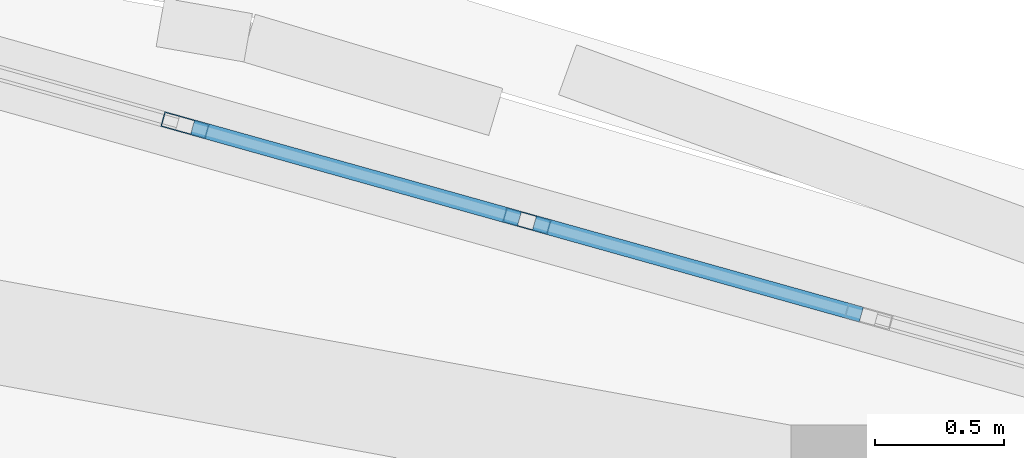
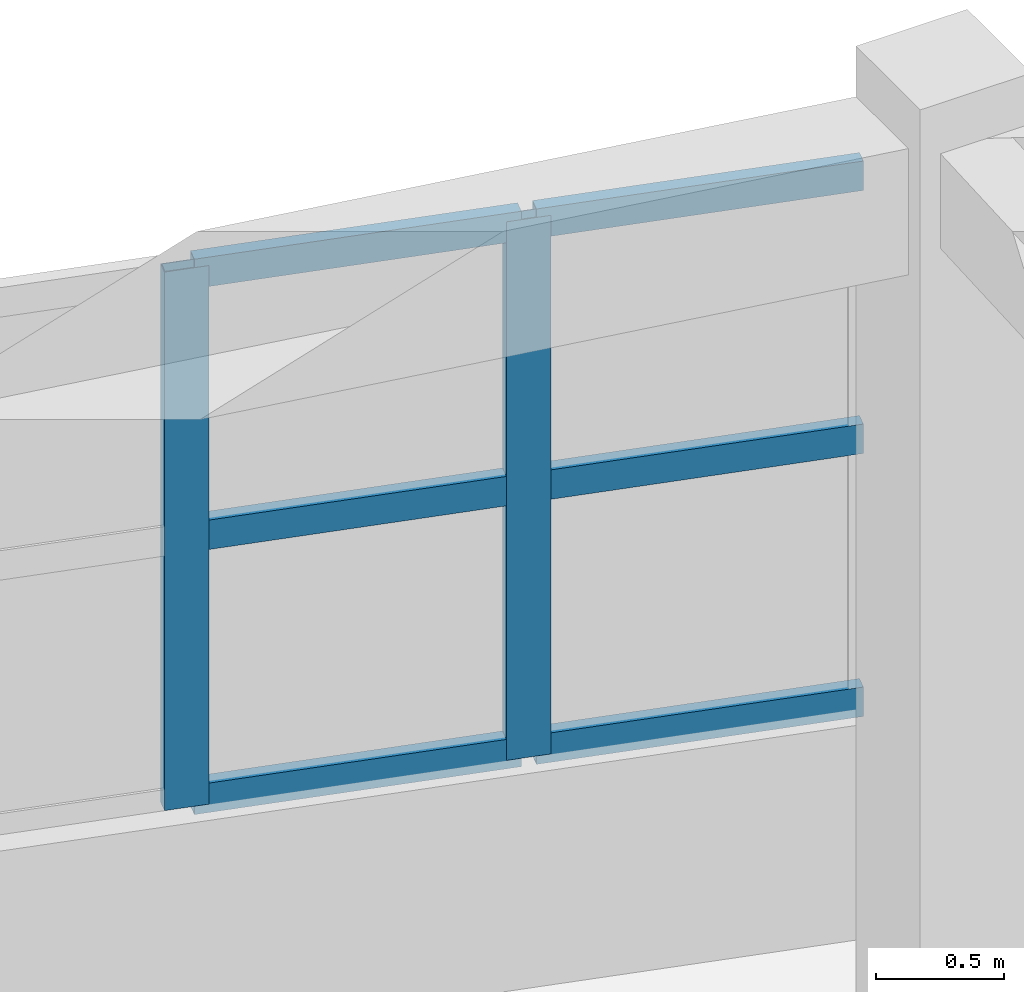
# One storey, part 28 of 38: 8 members, 1 element without a shape of its own.
"""IFC4 building model written with IfcOpenShell, lengths in metres."""

from ifc_helpers import new_model, si_unit, direction, frame, origin, origin_2d, place, context, subcontext, project, spatial, hollow_rectangle, extrude, material, layer, layer_set, material_profile, profile_set, type_object, element, aggregate, save


model = new_model("IFC4")

# Units and contexts
model_context = context("Model", 3, precision=1e-05, world=origin(), true_north=direction((0.0, 1.0)))
body_context = subcontext(model_context, "Body", "Model", "MODEL_VIEW")
ifc_project = project(units=[si_unit("LENGTHUNIT", "METRE"), si_unit("AREAUNIT", "SQUARE_METRE"), si_unit("VOLUMEUNIT", "CUBIC_METRE"), si_unit("PLANEANGLEUNIT", "RADIAN"), si_unit("MASSUNIT", "GRAM", prefix="KILO")], contexts=[model_context])

# Site, building, storey
site_placement = place(None, origin())
site = spatial("IfcSite", under=ifc_project, at=site_placement, CompositionType="ELEMENT")
building_placement = place(site_placement, origin())
building = spatial("IfcBuilding", under=site, at=building_placement, Name="Pelvatis Terrace Science Centre", CompositionType="ELEMENT")
storey_placement = place(building_placement, frame((0.0, 0.0, 24.300048828125)))
storey = spatial("IfcBuildingStorey", under=building, at=storey_placement, Name="L05", CompositionType="ELEMENT", Elevation=24.300048828125)

# Curtain wall, members
ifc_material_1 = material(Name="Bronze-anodised aluminium and laminated glass", Category="aluminium")
ifc_layer = layer(ifc_material_1, 0.179931640625)
ifc_layer_set = layer_set([ifc_layer], Name="Bronze-anodised aluminium and laminated glass")
curtain_wall_type = type_object("IfcCurtainWallType", Name="CW-RIBBON-A", PredefinedType="NOTDEFINED", material=ifc_layer_set)
curtain_wall_placement = place(storey_placement, origin())
curtain_wall = element("IfcCurtainWall", 1, at=curtain_wall_placement, inside=storey, type_object=curtain_wall_type, Name="Ribbon curtain wall CW-242 (L05)", PredefinedType="NOTDEFINED")
ifc_material_2 = material(Name="Bronze-anodised aluminium 6063-T6", Category="aluminium")
ifc_material_profile_1 = material_profile(ifc_material_2, hollow_rectangle(XDim=0.06005859375, YDim=0.179931640625, WallThickness=0.00390625, at=origin_2d()), Name="ALU-MUL 60x180")
ifc_profile_set_1 = profile_set([ifc_material_profile_1], Name="Bronze-anodised aluminium 6063-T6")
member_type_1 = type_object("IfcMemberType", Name="CWM-60x180", PredefinedType="MULLION", material=ifc_profile_set_1)
member_1_placement = place(storey_placement, frame((117.42138671875, 104.005859375, 1.02001953125), z_axis=(0.0, 0.0, 1.0), x_axis=(-0.269694685663, -0.962945884526, 0.0)))
member_1 = element("IfcMember", 2, at=member_1_placement, type_object=member_type_1, Name="CW-242 mullion 3", PredefinedType="MULLION", context=body_context, shape_type="SweptSolid", body=[
    extrude(hollow_rectangle(XDim=0.06005859375, YDim=0.179931640625, WallThickness=0.00390625, at=origin_2d()), origin(), (0.0, 0.0, 1.0), 2.559814453125),
])
member_2_placement = place(storey_placement, frame((116.09765625, 104.37646484375, 1.02001953125), z_axis=(0.0, 0.0, 1.0), x_axis=(-0.269694685663, -0.962945884526, 0.0)))
member_2 = element("IfcMember", 3, at=member_2_placement, type_object=member_type_1, Name="CW-242 mullion 4", PredefinedType="MULLION", context=body_context, shape_type="SweptSolid", body=[
    extrude(hollow_rectangle(XDim=0.06005859375, YDim=0.179931640625, WallThickness=0.00390625, at=origin_2d()), origin(), (0.0, 0.0, 1.0), 2.559814453125),
])
ifc_material_3 = material(Name="Bronze-anodised aluminium 6063-T6", Category="aluminium")
ifc_material_profile_2 = material_profile(ifc_material_3, hollow_rectangle(XDim=0.06005859375, YDim=0.139892578125, WallThickness=0.00390625, at=origin_2d()), Name="ALU-TRN 60x140")
ifc_profile_set_2 = profile_set([ifc_material_profile_2], Name="Bronze-anodised aluminium 6063-T6")
member_type_2 = type_object("IfcMemberType", Name="CWT-60x140", PredefinedType="USERDEFINED", material=ifc_profile_set_2)
member_3_placement = place(storey_placement, frame((118.71630859375, 103.643310546875, 1.050048828125), z_axis=(-0.962954374923, 0.269664368831, 0.0), x_axis=(-0.269664368831, -0.962954374923, 0.0)))
member_3 = element("IfcMember", 4, at=member_3_placement, type_object=member_type_2, Name="CW-242 transom 2.1", ObjectType="TRANSOM", PredefinedType="USERDEFINED", context=body_context, shape_type="SweptSolid", body=[
    extrude(hollow_rectangle(XDim=0.06005859375, YDim=0.139892578125, WallThickness=0.00390625, at=origin_2d()), origin(), (0.0, 0.0, 1.0), 1.314453125),
])
member_4_placement = place(storey_placement, frame((118.71630859375, 103.643310546875, 2.300048828125), z_axis=(-0.962954374923, 0.269664368831, 0.0), x_axis=(-0.269664368831, -0.962954374923, 0.0)))
member_4 = element("IfcMember", 5, at=member_4_placement, type_object=member_type_2, Name="CW-242 transom 2.2", ObjectType="TRANSOM", PredefinedType="USERDEFINED", context=body_context, shape_type="SweptSolid", body=[
    extrude(hollow_rectangle(XDim=0.06005859375, YDim=0.139892578125, WallThickness=0.00390625, at=origin_2d()), origin(), (0.0, 0.0, 1.0), 1.314453125),
])
member_5_placement = place(storey_placement, frame((118.71630859375, 103.643310546875, 3.550048828125), z_axis=(-0.962954374923, 0.269664368831, 0.0), x_axis=(-0.269664368831, -0.962954374923, 0.0)))
member_5 = element("IfcMember", 6, at=member_5_placement, type_object=member_type_2, Name="CW-242 transom 2.3", ObjectType="TRANSOM", PredefinedType="USERDEFINED", context=body_context, shape_type="SweptSolid", body=[
    extrude(hollow_rectangle(XDim=0.06005859375, YDim=0.139892578125, WallThickness=0.00390625, at=origin_2d()), origin(), (0.0, 0.0, 1.0), 1.314453125),
])
member_6_placement = place(storey_placement, frame((117.392578125, 104.013916015625, 1.050048828125), z_axis=(-0.962954374923, 0.269664368831, 0.0), x_axis=(-0.269664368831, -0.962954374923, 0.0)))
member_6 = element("IfcMember", 7, at=member_6_placement, type_object=member_type_2, Name="CW-242 transom 3.1", ObjectType="TRANSOM", PredefinedType="USERDEFINED", context=body_context, shape_type="SweptSolid", body=[
    extrude(hollow_rectangle(XDim=0.06005859375, YDim=0.139892578125, WallThickness=0.00390625, at=origin_2d()), origin(), (0.0, 0.0, 1.0), 1.314453125),
])
member_7_placement = place(storey_placement, frame((117.392578125, 104.013916015625, 2.300048828125), z_axis=(-0.962954374923, 0.269664368831, 0.0), x_axis=(-0.269664368831, -0.962954374923, 0.0)))
member_7 = element("IfcMember", 8, at=member_7_placement, type_object=member_type_2, Name="CW-242 transom 3.2", ObjectType="TRANSOM", PredefinedType="USERDEFINED", context=body_context, shape_type="SweptSolid", body=[
    extrude(hollow_rectangle(XDim=0.06005859375, YDim=0.139892578125, WallThickness=0.00390625, at=origin_2d()), origin(), (0.0, 0.0, 1.0), 1.314453125),
])
member_8_placement = place(storey_placement, frame((117.392578125, 104.013916015625, 3.550048828125), z_axis=(-0.962954374923, 0.269664368831, 0.0), x_axis=(-0.269664368831, -0.962954374923, 0.0)))
member_8 = element("IfcMember", 9, at=member_8_placement, type_object=member_type_2, Name="CW-242 transom 3.3", ObjectType="TRANSOM", PredefinedType="USERDEFINED", context=body_context, shape_type="SweptSolid", body=[
    extrude(hollow_rectangle(XDim=0.06005859375, YDim=0.139892578125, WallThickness=0.00390625, at=origin_2d()), origin(), (0.0, 0.0, 1.0), 1.314453125),
])
aggregate(curtain_wall, [member_1, member_2, member_3, member_4, member_5, member_6, member_7, member_8])

save(model, "model.ifc")
